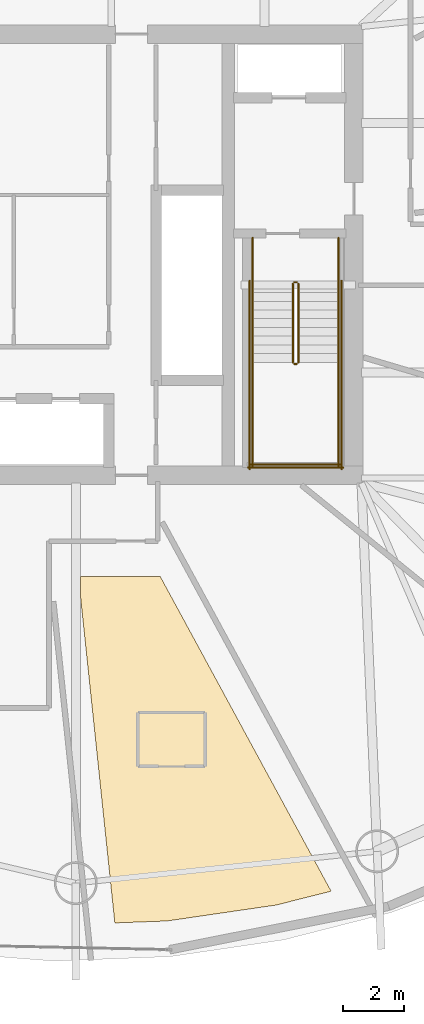
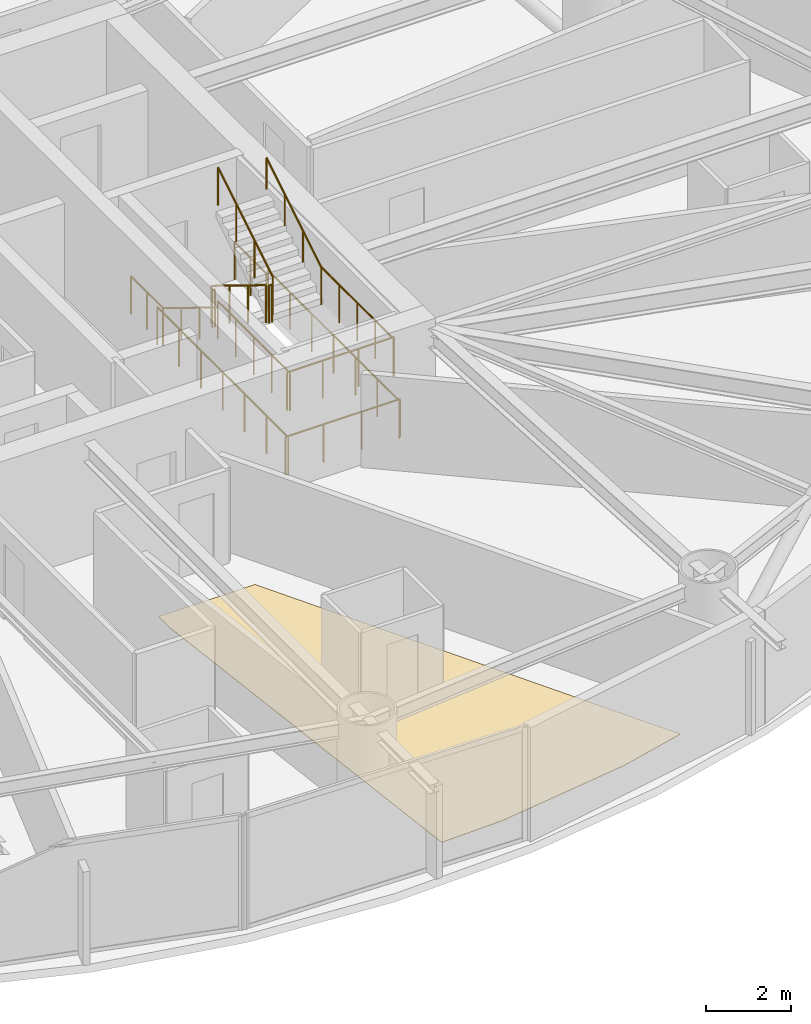
# One storey, part 25 of 26: 14 railings, 1 covering.
"""IFC4 building model written with IfcOpenShell, lengths in metres."""

from ifc_helpers import new_model, si_unit, direction, frame, origin, origin_2d, place, context, subcontext, project, spatial, polyline, circle, outline, extrude, material, layer, layer_set, type_object, element, save


model = new_model("IFC4")

# Units and contexts
model_context = context("Model", 3, precision=1e-05, world=origin(), true_north=direction((0.0, 1.0)))
body_context = subcontext(model_context, "Body", "Model", "MODEL_VIEW")
ifc_project = project(units=[si_unit("LENGTHUNIT", "METRE"), si_unit("AREAUNIT", "SQUARE_METRE"), si_unit("VOLUMEUNIT", "CUBIC_METRE"), si_unit("PLANEANGLEUNIT", "RADIAN"), si_unit("MASSUNIT", "GRAM", prefix="KILO")], contexts=[model_context])

# Site, building, storey
site_placement = place(None, origin())
site = spatial("IfcSite", under=ifc_project, at=site_placement, CompositionType="ELEMENT")
building_placement = place(site_placement, origin())
building = spatial("IfcBuilding", under=site, at=building_placement, Name="Bramvorn Convention Spire", CompositionType="ELEMENT")
storey_placement = place(building_placement, frame((0.0, 0.0, 123.800048828125)))
storey = spatial("IfcBuildingStorey", under=building, at=storey_placement, Name="L30", CompositionType="ELEMENT", Elevation=123.800048828125)

# Covering
ifc_material_1 = material(Name="Solution-Dyed Wool Broadloom Hospitality Carpet", Category="textile")
ifc_layer = layer(ifc_material_1, 0.014892578125)
ifc_layer_set = layer_set([ifc_layer], Name="Solution-Dyed Wool Broadloom Hospitality Carpet - FLR-CARPET-15")
covering_type = type_object("IfcCoveringType", Name="FLR-CARPET-15", PredefinedType="FLOORING", material=ifc_layer_set)
covering_placement = place(storey_placement, origin())
element("IfcCovering", 1, at=covering_placement, inside=storey, type_object=covering_type, Name="Hotel Suite 3013 wool broadloom carpet", PredefinedType="FLOORING", context=body_context, shape_type="SweptSolid", body=[
    extrude(outline(polyline([(46.46875, 4.768310546875), (48.2578125, 5.22119140625), (42.677001953125, 15.5), (40.070068359375, 15.5), (40.070068359375, 14.915283203125), (41.197998046875, 4.184326171875), (42.89990234375, 4.247314453125), (46.46875, 4.768310546875)])), origin(), (0.0, 0.0, 1.0), 0.014892578125),
])

# Railings
ifc_material_2 = material(Name="Painted Steel Balustrade & Guardrail", Category="steel")
railing_type_1 = type_object("IfcRailingType", Name="RL-STAIR-GUARD-1100", PredefinedType="GUARDRAIL", material=ifc_material_2)
railing_1_placement = place(storey_placement, frame((47.010009765625, 25.050048828125, 0.175048828125)))
element("IfcRailing", 2, at=railing_1_placement, inside=storey, type_object=railing_type_1, Name="L30 ST2 stair guard 1", PredefinedType="GUARDRAIL", context=body_context, shape_type="SweptSolid", body=[
    extrude(circle(Radius=0.02392578125, at=origin_2d()), frame((0.0, 0.0, 1.076171875), z_axis=(0.0, -0.852173129349, 0.523259933127), x_axis=(1.0, 0.0, 0.0)), (0.0, 0.0, 1.0), 3.009765625),
    extrude(circle(Radius=0.02099609375, at=origin_2d()), origin(), (0.0, 0.0, 1.0), 1.052001953125),
    extrude(circle(Radius=0.02099609375, at=origin_2d()), frame((0.0, -0.85498046875, 0.52490234375)), (0.0, 0.0, 1.0), 1.052001953125),
    extrude(circle(Radius=0.02099609375, at=origin_2d()), frame((0.0, -1.7099609375, 1.050048828125)), (0.0, 0.0, 1.0), 1.052001953125),
    extrude(circle(Radius=0.02099609375, at=origin_2d()), frame((0.0, -2.56494140625, 1.574951171875)), (0.0, 0.0, 1.0), 1.052001953125),
])
railing_2_placement = place(storey_placement, frame((47.06005859375, 22.43505859375, 1.75)))
element("IfcRailing", 3, at=railing_2_placement, inside=storey, type_object=railing_type_1, Name="L30 ST2 stair guard 2", PredefinedType="GUARDRAIL", context=body_context, shape_type="SweptSolid", body=[
    extrude(circle(Radius=0.02392578125, at=origin_2d()), frame((0.0, 0.0, 1.076171875), z_axis=(1.0, 0.0, 0.0), x_axis=(0.0, 1.0, 0.0)), (0.0, 0.0, 1.0), 0.079833984375),
    extrude(circle(Radius=0.02099609375, at=origin_2d()), origin(), (0.0, 0.0, 1.0), 1.052001953125),
    extrude(circle(Radius=0.02099609375, at=origin_2d()), frame((0.079833984375, 0.0, 0.0)), (0.0, 0.0, 1.0), 1.052001953125),
])
for number, where, name in (
    (4, (45.699951171875, 22.485107421875, 1.75), "L30 ST2 stair guard 3"),
    (5, (48.5, 22.485107421875, 1.75), "L30 ST2 stair guard 4"),
):
    element("IfcRailing", number, at=place(storey_placement, frame(where)), inside=storey, type_object=railing_type_1, Name=name, PredefinedType="GUARDRAIL", context=body_context, shape_type="SweptSolid", body=[
        extrude(circle(Radius=0.02392578125, at=origin_2d()), frame((0.0, 0.0, 1.076171875), z_axis=(0.0, -1.0, 0.0), x_axis=(1.0, 0.0, 0.0)), (0.0, 0.0, 1.0), 3.385009765625),
        extrude(circle(Radius=0.02099609375, at=origin_2d()), origin(), (0.0, 0.0, 1.0), 1.052001953125),
        extrude(circle(Radius=0.02099609375, at=origin_2d()), frame((0.0, -0.84619140625, 0.0)), (0.0, 0.0, 1.0), 1.052001953125),
        extrude(circle(Radius=0.02099609375, at=origin_2d()), frame((0.0, -1.6923828125, 0.0)), (0.0, 0.0, 1.0), 1.052001953125),
        extrude(circle(Radius=0.02099609375, at=origin_2d()), frame((0.0, -2.538818359375, 0.0)), (0.0, 0.0, 1.0), 1.052001953125),
        extrude(circle(Radius=0.02099609375, at=origin_2d()), frame((0.0, -3.385009765625, 0.0)), (0.0, 0.0, 1.0), 1.052001953125),
    ])
railing_3_placement = place(storey_placement, frame((45.64990234375, 19.14990234375, 1.75)))
element("IfcRailing", 6, at=railing_3_placement, inside=storey, type_object=railing_type_1, Name="L30 ST2 stair guard 5", PredefinedType="GUARDRAIL", context=body_context, shape_type="SweptSolid", body=[
    extrude(circle(Radius=0.02392578125, at=origin_2d()), frame((0.0, 0.0, 1.076171875), z_axis=(1.0, 0.0, 0.0), x_axis=(0.0, 1.0, 0.0)), (0.0, 0.0, 1.0), 2.900146484375),
    extrude(circle(Radius=0.02099609375, at=origin_2d()), origin(), (0.0, 0.0, 1.0), 1.052001953125),
    extrude(circle(Radius=0.02099609375, at=origin_2d()), frame((0.966796875, 0.0, 0.0)), (0.0, 0.0, 1.0), 1.052001953125),
    extrude(circle(Radius=0.02099609375, at=origin_2d()), frame((1.933349609375, 0.0, 0.0)), (0.0, 0.0, 1.0), 1.052001953125),
    extrude(circle(Radius=0.02099609375, at=origin_2d()), frame((2.900146484375, 0.0, 0.0)), (0.0, 0.0, 1.0), 1.052001953125),
])
railing_4_placement = place(storey_placement, frame((47.18994140625, 22.485107421875, 1.925048828125)))
element("IfcRailing", 7, at=railing_4_placement, inside=storey, type_object=railing_type_1, Name="L30 ST2 stair guard 6", PredefinedType="GUARDRAIL", context=body_context, shape_type="SweptSolid", body=[
    extrude(circle(Radius=0.02392578125, at=origin_2d()), frame((0.0, 0.0, 1.076171875), z_axis=(0.0, 0.852173129349, 0.523259933127), x_axis=(-1.0, 0.0, 0.0)), (0.0, 0.0, 1.0), 3.009765625),
    extrude(circle(Radius=0.02099609375, at=origin_2d()), origin(), (0.0, 0.0, 1.0), 1.052001953125),
    extrude(circle(Radius=0.02099609375, at=origin_2d()), frame((0.0, 0.85498046875, 0.52490234375)), (0.0, 0.0, 1.0), 1.052001953125),
    extrude(circle(Radius=0.02099609375, at=origin_2d()), frame((0.0, 1.7099609375, 1.050048828125)), (0.0, 0.0, 1.0), 1.052001953125),
    extrude(circle(Radius=0.02099609375, at=origin_2d()), frame((0.0, 2.56494140625, 1.574951171875)), (0.0, 0.0, 1.0), 1.052001953125),
])
railing_5_placement = place(storey_placement, frame((47.06005859375, 25.10009765625, 0.0)))
element("IfcRailing", 8, at=railing_5_placement, inside=storey, type_object=railing_type_1, Name="L30 ST2 stair guard 7", PredefinedType="GUARDRAIL", context=body_context, shape_type="SweptSolid", body=[
    extrude(circle(Radius=0.02392578125, at=origin_2d()), frame((0.0, 0.0, 1.076171875), z_axis=(1.0, 0.0, 0.0), x_axis=(0.0, 1.0, 0.0)), (0.0, 0.0, 1.0), 0.079833984375),
    extrude(circle(Radius=0.02099609375, at=origin_2d()), origin(), (0.0, 0.0, 1.0), 1.052001953125),
    extrude(circle(Radius=0.02099609375, at=origin_2d()), frame((0.079833984375, 0.0, 0.0)), (0.0, 0.0, 1.0), 1.052001953125),
])
for number, where, name in (
    (9, (45.699951171875, 26.550048828125, 0.0), "L30 ST2 stair guard 8"),
    (10, (48.5, 26.550048828125, 0.0), "L30 ST2 stair guard 9"),
):
    element("IfcRailing", number, at=place(storey_placement, frame(where)), inside=storey, type_object=railing_type_1, Name=name, PredefinedType="GUARDRAIL", context=body_context, shape_type="SweptSolid", body=[
        extrude(circle(Radius=0.02392578125, at=origin_2d()), frame((0.0, 0.0, 1.076171875), z_axis=(0.0, -1.0, 0.0), x_axis=(1.0, 0.0, 0.0)), (0.0, 0.0, 1.0), 1.5),
        extrude(circle(Radius=0.02099609375, at=origin_2d()), origin(), (0.0, 0.0, 1.0), 1.052001953125),
        extrude(circle(Radius=0.02099609375, at=origin_2d()), frame((0.0, -0.75, 0.0)), (0.0, 0.0, 1.0), 1.052001953125),
        extrude(circle(Radius=0.02099609375, at=origin_2d()), frame((0.0, -1.5, 0.0)), (0.0, 0.0, 1.0), 1.052001953125),
    ])
for number, where, name in (
    (11, (45.60009765625, 25.14990234375, 0.0), "L30 ST2 stair guard 10"),
    (12, (48.60009765625, 25.14990234375, 0.0), "L30 ST2 stair guard 11"),
):
    element("IfcRailing", number, at=place(storey_placement, frame(where)), inside=storey, type_object=railing_type_1, Name=name, PredefinedType="GUARDRAIL", context=body_context, shape_type="SweptSolid", body=[
        extrude(circle(Radius=0.02392578125, at=origin_2d()), frame((0.0, 0.0, 1.076171875), z_axis=(0.0, -1.0, 0.0), x_axis=(1.0, 0.0, 0.0)), (0.0, 0.0, 1.0), 6.14990234375),
        extrude(circle(Radius=0.02099609375, at=origin_2d()), origin(), (0.0, 0.0, 1.0), 1.052001953125),
        extrude(circle(Radius=0.02099609375, at=origin_2d()), frame((0.0, -1.02490234375, 0.0)), (0.0, 0.0, 1.0), 1.052001953125),
        extrude(circle(Radius=0.02099609375, at=origin_2d()), frame((0.0, -2.050048828125, 0.0)), (0.0, 0.0, 1.0), 1.052001953125),
        extrude(circle(Radius=0.02099609375, at=origin_2d()), frame((0.0, -3.074951171875, 0.0)), (0.0, 0.0, 1.0), 1.052001953125),
        extrude(circle(Radius=0.02099609375, at=origin_2d()), frame((0.0, -4.099853515625, 0.0)), (0.0, 0.0, 1.0), 1.052001953125),
        extrude(circle(Radius=0.02099609375, at=origin_2d()), frame((0.0, -5.125, 0.0)), (0.0, 0.0, 1.0), 1.052001953125),
        extrude(circle(Radius=0.02099609375, at=origin_2d()), frame((0.0, -6.14990234375, 0.0)), (0.0, 0.0, 1.0), 1.052001953125),
    ])
railing_6_placement = place(storey_placement, frame((45.550048828125, 19.050048828125, 0.0)))
element("IfcRailing", 13, at=railing_6_placement, inside=storey, type_object=railing_type_1, Name="L30 ST2 stair guard 12", PredefinedType="GUARDRAIL", context=body_context, shape_type="SweptSolid", body=[
    extrude(circle(Radius=0.02392578125, at=origin_2d()), frame((0.0, 0.0, 1.076171875), z_axis=(1.0, 0.0, 0.0), x_axis=(0.0, 1.0, 0.0)), (0.0, 0.0, 1.0), 3.099853515625),
    extrude(circle(Radius=0.02099609375, at=origin_2d()), origin(), (0.0, 0.0, 1.0), 1.052001953125),
    extrude(circle(Radius=0.02099609375, at=origin_2d()), frame((1.033203125, 0.0, 0.0)), (0.0, 0.0, 1.0), 1.052001953125),
    extrude(circle(Radius=0.02099609375, at=origin_2d()), frame((2.066650390625, 0.0, 0.0)), (0.0, 0.0, 1.0), 1.052001953125),
    extrude(circle(Radius=0.02099609375, at=origin_2d()), frame((3.099853515625, 0.0, 0.0)), (0.0, 0.0, 1.0), 1.052001953125),
])
ifc_material_3 = material(Name="Brushed Bronze Tubular Handrail", Category="aluminium")
railing_type_2 = type_object("IfcRailingType", Name="RL-STAIR-HR-920", PredefinedType="HANDRAIL", material=ifc_material_3)
railing_7_placement = place(storey_placement, frame((45.699951171875, 25.050048828125, 0.175048828125)))
element("IfcRailing", 14, at=railing_7_placement, inside=storey, type_object=railing_type_2, Name="L30 ST2 stair handrail 1", PredefinedType="HANDRAIL", context=body_context, shape_type="SweptSolid", body=[
    extrude(circle(Radius=0.02392578125, at=origin_2d()), frame((0.0, 0.0, 0.89599609375), z_axis=(0.0, -0.852173129349, 0.523259933127), x_axis=(1.0, 0.0, 0.0)), (0.0, 0.0, 1.0), 3.009765625),
    extrude(circle(Radius=0.02099609375, at=origin_2d()), origin(), (0.0, 0.0, 1.0), 0.871826171875),
    extrude(circle(Radius=0.02099609375, at=origin_2d()), frame((0.0, -0.85498046875, 0.52490234375)), (0.0, 0.0, 1.0), 0.871826171875),
    extrude(circle(Radius=0.02099609375, at=origin_2d()), frame((0.0, -1.7099609375, 1.050048828125)), (0.0, 0.0, 1.0), 0.871826171875),
    extrude(circle(Radius=0.02099609375, at=origin_2d()), frame((0.0, -2.56494140625, 1.574951171875)), (0.0, 0.0, 1.0), 0.871826171875),
])
railing_8_placement = place(storey_placement, frame((48.5, 22.485107421875, 1.925048828125)))
element("IfcRailing", 15, at=railing_8_placement, inside=storey, type_object=railing_type_2, Name="L30 ST2 stair handrail 2", PredefinedType="HANDRAIL", context=body_context, shape_type="SweptSolid", body=[
    extrude(circle(Radius=0.02392578125, at=origin_2d()), frame((0.0, 0.0, 0.89599609375), z_axis=(0.0, 0.852173129349, 0.523259933127), x_axis=(-1.0, 0.0, 0.0)), (0.0, 0.0, 1.0), 3.009765625),
    extrude(circle(Radius=0.02099609375, at=origin_2d()), origin(), (0.0, 0.0, 1.0), 0.871826171875),
    extrude(circle(Radius=0.02099609375, at=origin_2d()), frame((0.0, 0.85498046875, 0.52490234375)), (0.0, 0.0, 1.0), 0.871826171875),
    extrude(circle(Radius=0.02099609375, at=origin_2d()), frame((0.0, 1.7099609375, 1.050048828125)), (0.0, 0.0, 1.0), 0.871826171875),
    extrude(circle(Radius=0.02099609375, at=origin_2d()), frame((0.0, 2.56494140625, 1.574951171875)), (0.0, 0.0, 1.0), 0.871826171875),
])

save(model, "model.ifc")
